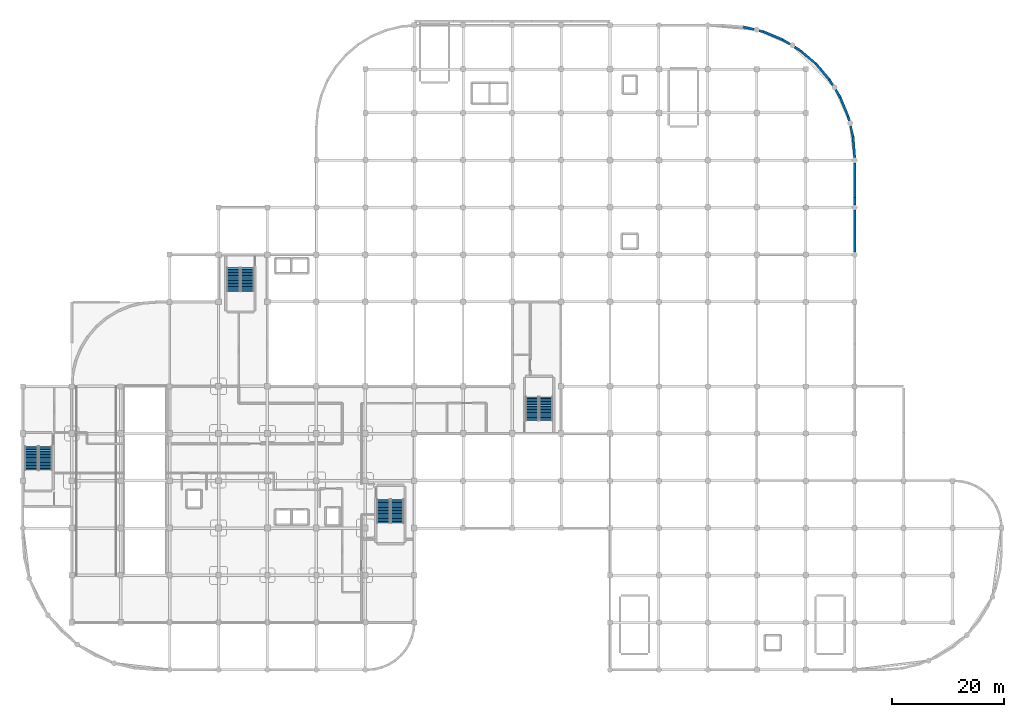
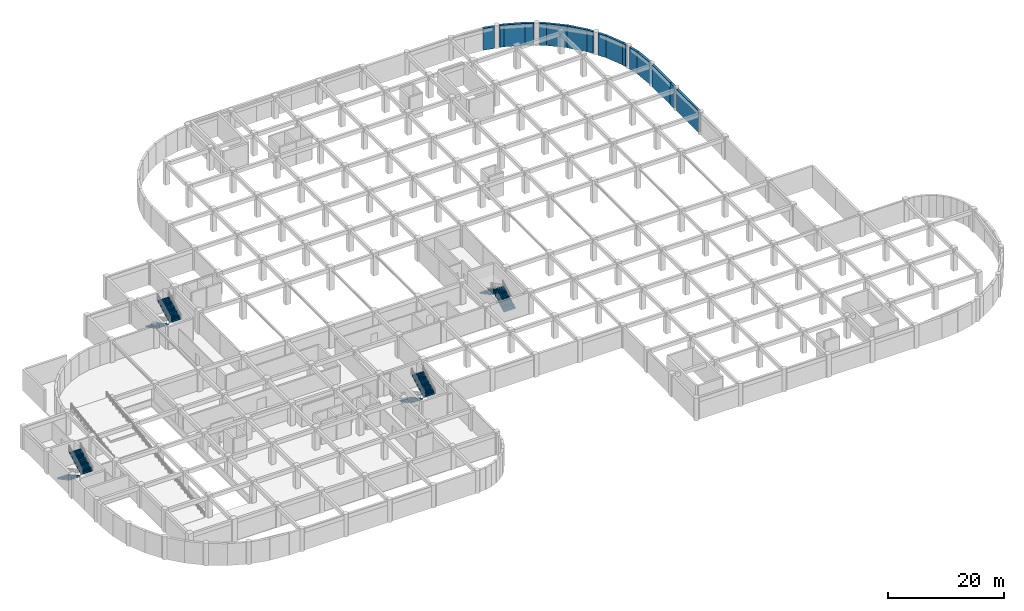
# One storey, part 15 of 19: 16 walls, 8 stair flights, 4 elements without a shape of their own.
"""IFC4 building model written with IfcOpenShell, lengths in metres."""

from ifc_helpers import new_model, si_unit, derived_unit, direction, frame, frame_2d, origin, place, context, subcontext, project, spatial, polyline, rectangle, outline, extrude, material, layer, layer_set, type_object, element, aggregate, save


model = new_model("IFC4")

# Units and contexts
model_context = context("Model", 3, precision=1e-05, world=origin(), true_north=direction((0.0, 1.0)))
body_context = subcontext(model_context, "Body", "Model", "MODEL_VIEW")
ifc_project = project(units=[si_unit("LENGTHUNIT", "METRE"), si_unit("AREAUNIT", "SQUARE_METRE"), si_unit("VOLUMEUNIT", "CUBIC_METRE"), si_unit("PLANEANGLEUNIT", "RADIAN"), si_unit("MASSUNIT", "GRAM", prefix="KILO"), derived_unit("THERMALTRANSMITTANCEUNIT", [(si_unit("MASSUNIT", "GRAM", prefix="KILO"), 1), (si_unit("TIMEUNIT", "SECOND"), -3), (si_unit("THERMODYNAMICTEMPERATUREUNIT", "KELVIN"), -1)])], contexts=[model_context])

# Site, building, storey
site_placement = place(None, origin())
site = spatial("IfcSite", under=ifc_project, at=site_placement, CompositionType="ELEMENT")
building_placement = place(site_placement, origin())
building = spatial("IfcBuilding", under=site, at=building_placement, Name="Qinzheling Arcade Emporium", CompositionType="ELEMENT")
storey_placement = place(building_placement, frame((0.0, 0.0, -4.800048828125)))
storey = spatial("IfcBuildingStorey", under=building, at=storey_placement, Name="B1", CompositionType="ELEMENT", Elevation=-4.800048828125)

# Walls
ifc_material = material(Name="Concrete C40", Category="concrete")
ifc_layer_1 = layer(ifc_material, 0.419921875, Name="Concrete C40", Category="concrete")
ifc_layer_set_1 = layer_set([ifc_layer_1], Name="Concrete C40")
wall_type_1 = type_object("IfcWallType", Name="Basement Ramp Retaining Wall 420 C40", PredefinedType="USERDEFINED", material=ifc_layer_set_1)
wall_1_placement = place(storey_placement, frame((130.930908203125, 113.6259765625, 0.0), z_axis=(0.0, 0.0, 1.0), x_axis=(0.972225005053, -0.234048156475, 0.0)))
element("IfcWall", 1, at=wall_1_placement, inside=storey, type_object=wall_type_1, Name="Retaining Wall WL-B1-RW-240", ObjectType="RETAININGWALL", PredefinedType="USERDEFINED", context=body_context, shape_type="SweptSolid", body=[
    extrude(rectangle(XDim=0.752197265625, YDim=0.419921875, at=frame_2d((0.3759765625, 0.0))), origin(), (0.0, 0.0, 1.0), 4.580078125),
])
wall_2_placement = place(storey_placement, frame((135.069091796875, 112.0390625, 0.0), z_axis=(0.0, 0.0, 1.0), x_axis=(0.852643675321, -0.522492835296, 0.0)))
element("IfcWall", 2, at=wall_2_placement, inside=storey, type_object=wall_type_1, Name="Retaining Wall WL-B1-RW-242", ObjectType="RETAININGWALL", PredefinedType="USERDEFINED", context=body_context, shape_type="SweptSolid", body=[
    extrude(rectangle(XDim=1.5712890625, YDim=0.419921875, at=frame_2d((0.78564453125, 0.0))), origin(), (0.0, 0.0, 1.0), 4.580078125),
])
wall_3_placement = place(storey_placement, frame((138.212890625, 110.112060546875, 0.0), z_axis=(0.0, 0.0, 1.0), x_axis=(0.76040500941, -0.649449167883, 0.0)))
element("IfcWall", 3, at=wall_3_placement, inside=storey, type_object=wall_type_1, Name="Retaining Wall WL-B1-RW-244", ObjectType="RETAININGWALL", PredefinedType="USERDEFINED", context=body_context, shape_type="SweptSolid", body=[
    extrude(rectangle(XDim=3.687744140625, YDim=0.419921875, at=frame_2d((1.84375, 0.0))), origin(), (0.0, 0.0, 1.0), 4.580078125),
])
wall_4_placement = place(storey_placement, frame((143.412109375, 104.9130859375, 0.0), z_axis=(0.0, 0.0, 1.0), x_axis=(0.522665585531, -0.852537791363, 0.0)))
element("IfcWall", 4, at=wall_4_placement, inside=storey, type_object=wall_type_1, Name="Retaining Wall WL-B1-RW-246", ObjectType="RETAININGWALL", PredefinedType="USERDEFINED", context=body_context, shape_type="SweptSolid", body=[
    extrude(rectangle(XDim=1.1611328125, YDim=0.419921875, at=frame_2d((0.58056640625, 0.0))), origin(), (0.0, 0.0, 1.0), 4.580078125),
])
wall_5_placement = place(storey_placement, frame((145.339111328125, 101.76904296875, 0.0), z_axis=(0.0, 0.0, 1.0), x_axis=(0.382607126693, -0.923911135664, 0.0)))
element("IfcWall", 5, at=wall_5_placement, inside=storey, type_object=wall_type_1, Name="Retaining Wall WL-B1-RW-248", ObjectType="RETAININGWALL", PredefinedType="USERDEFINED", context=body_context, shape_type="SweptSolid", body=[
    extrude(rectangle(XDim=3.6875, YDim=0.419921875, at=frame_2d((1.84375, 0.0))), origin(), (0.0, 0.0, 1.0), 4.580078125),
])
wall_6_placement = place(storey_placement, frame((147.14794921875, 96.702880859375, 0.0), z_axis=(0.0, 0.0, 1.0), x_axis=(0.2336851003, -0.972312333511, 0.0)))
element("IfcWall", 6, at=wall_6_placement, inside=storey, type_object=wall_type_1, Name="Retaining Wall WL-B1-RW-250", ObjectType="RETAININGWALL", PredefinedType="USERDEFINED", context=body_context, shape_type="SweptSolid", body=[
    extrude(rectangle(XDim=1.98193359375, YDim=0.419921875, at=frame_2d((0.990966796875, 0.0))), origin(), (0.0, 0.0, 1.0), 4.580078125),
])
wall_7_placement = place(storey_placement, frame((147.89990234375, 90.123046875, 0.0), z_axis=(0.0, 0.0, 1.0), x_axis=(0.0, -1.0, 0.0)))
element("IfcWall", 7, at=wall_7_placement, inside=storey, type_object=wall_type_1, Name="Retaining Wall WL-B1-RW-252", ObjectType="RETAININGWALL", PredefinedType="USERDEFINED", context=body_context, shape_type="SweptSolid", body=[
    extrude(rectangle(XDim=6.123046875, YDim=0.419921875, at=frame_2d((3.0615234375, 0.0))), origin(), (0.0, 0.0, 1.0), 4.580078125),
])
wall_8_placement = place(storey_placement, frame((147.89990234375, 81.722900390625, 0.0), z_axis=(0.0, 0.0, 1.0), x_axis=(0.0, -1.0, 0.0)))
element("IfcWall", 8, at=wall_8_placement, inside=storey, type_object=wall_type_1, Name="Retaining Wall WL-B1-RW-254", ObjectType="RETAININGWALL", PredefinedType="USERDEFINED", context=body_context, shape_type="SweptSolid", body=[
    extrude(rectangle(XDim=7.44580078125, YDim=0.419921875, at=frame_2d((3.722900390625, 0.0))), origin(), (0.0, 0.0, 1.0), 4.580078125),
])
ifc_layer_2 = layer(ifc_material, 0.449951171875, Name="Concrete C40", Category="concrete")
ifc_layer_set_2 = layer_set([ifc_layer_2], Name="Concrete C40")
wall_type_2 = type_object("IfcWallType", Name="Waterproof Basement Retaining Wall 450 C40", PredefinedType="USERDEFINED", material=ifc_layer_set_2)
wall_9_placement = place(storey_placement, frame((128.075927734375, 114.31103515625, 0.0), z_axis=(0.0, 0.0, 1.0), x_axis=(0.972312333511, -0.2336851003, 0.0)))
element("IfcWall", 9, at=wall_9_placement, inside=storey, type_object=wall_type_2, Name="Retaining Wall WL-B1-RW-239", ObjectType="RETAININGWALL", PredefinedType="USERDEFINED", context=body_context, shape_type="SweptSolid", body=[
    extrude(rectangle(XDim=1.98193359375, YDim=0.449951171875, at=frame_2d((0.990966796875, 0.0))), origin(), (0.0, 0.0, 1.0), 4.580078125),
])
wall_10_placement = place(storey_placement, frame((131.662109375, 113.449951171875, 0.0), z_axis=(0.0, 0.0, 1.0), x_axis=(0.923911135664, -0.382607126693, 0.0)))
element("IfcWall", 10, at=wall_10_placement, inside=storey, type_object=wall_type_2, Name="Retaining Wall WL-B1-RW-241", ObjectType="RETAININGWALL", PredefinedType="USERDEFINED", context=body_context, shape_type="SweptSolid", body=[
    extrude(rectangle(XDim=3.6875, YDim=0.449951171875, at=frame_2d((1.84375, 0.0))), origin(), (0.0, 0.0, 1.0), 4.580078125),
])
wall_11_placement = place(storey_placement, frame((137.222900390625, 110.718994140625, 0.0), z_axis=(0.0, 0.0, 1.0), x_axis=(0.852537791363, -0.522665585531, 0.0)))
element("IfcWall", 11, at=wall_11_placement, inside=storey, type_object=wall_type_2, Name="Retaining Wall WL-B1-RW-243", ObjectType="RETAININGWALL", PredefinedType="USERDEFINED", context=body_context, shape_type="SweptSolid", body=[
    extrude(rectangle(XDim=1.1611328125, YDim=0.449951171875, at=frame_2d((0.58056640625, 0.0))), origin(), (0.0, 0.0, 1.0), 4.580078125),
])
wall_12_placement = place(storey_placement, frame((141.01708984375, 107.717041015625, 0.0), z_axis=(0.0, 0.0, 1.0), x_axis=(0.649481862796, -0.760377084018, 0.0)))
element("IfcWall", 12, at=wall_12_placement, inside=storey, type_object=wall_type_2, Name="Retaining Wall WL-B1-RW-245", ObjectType="RETAININGWALL", PredefinedType="USERDEFINED", context=body_context, shape_type="SweptSolid", body=[
    extrude(rectangle(XDim=3.6875, YDim=0.449951171875, at=frame_2d((1.84375, 0.0))), origin(), (0.0, 0.0, 1.0), 4.580078125),
])
wall_13_placement = place(storey_placement, frame((144.51806640625, 103.10888671875, 0.0), z_axis=(0.0, 0.0, 1.0), x_axis=(0.522492835296, -0.852643675321, 0.0)))
element("IfcWall", 13, at=wall_13_placement, inside=storey, type_object=wall_type_2, Name="Retaining Wall WL-B1-RW-247", ObjectType="RETAININGWALL", PredefinedType="USERDEFINED", context=body_context, shape_type="SweptSolid", body=[
    extrude(rectangle(XDim=1.5712890625, YDim=0.449951171875, at=frame_2d((0.78564453125, 0.0))), origin(), (0.0, 0.0, 1.0), 4.580078125),
])
wall_14_placement = place(storey_placement, frame((146.75, 98.362060546875, 0.0), z_axis=(0.0, 0.0, 1.0), x_axis=(0.234122044674, -0.97220721464, 0.0)))
element("IfcWall", 14, at=wall_14_placement, inside=storey, type_object=wall_type_2, Name="Retaining Wall WL-B1-RW-249", ObjectType="RETAININGWALL", PredefinedType="USERDEFINED", context=body_context, shape_type="SweptSolid", body=[
    extrude(rectangle(XDim=0.751953125, YDim=0.449951171875, at=frame_2d((0.3759765625, 0.0))), origin(), (0.0, 0.0, 1.0), 4.580078125),
])
wall_15_placement = place(storey_placement, frame((147.611083984375, 94.77587890625, 0.0), z_axis=(0.0, 0.0, 1.0), x_axis=(0.078478644017, -0.996915795057, 0.0)))
element("IfcWall", 15, at=wall_15_placement, inside=storey, type_object=wall_type_2, Name="Retaining Wall WL-B1-RW-251", ObjectType="RETAININGWALL", PredefinedType="USERDEFINED", context=body_context, shape_type="SweptSolid", body=[
    extrude(rectangle(XDim=3.708251953125, YDim=0.449951171875, at=frame_2d((1.85400390625, 0.0))), origin(), (0.0, 0.0, 1.0), 4.580078125),
])
wall_16_placement = place(storey_placement, frame((147.89990234375, 84.0, 0.0), z_axis=(0.0, 0.0, 1.0), x_axis=(0.0, -1.0, 0.0)))
element("IfcWall", 16, at=wall_16_placement, inside=storey, type_object=wall_type_2, Name="Retaining Wall WL-B1-RW-253", ObjectType="RETAININGWALL", PredefinedType="USERDEFINED", context=body_context, shape_type="SweptSolid", body=[
    extrude(rectangle(XDim=1.322998046875, YDim=0.449951171875, at=frame_2d((0.66162109375, 0.0))), origin(), (0.0, 0.0, 1.0), 4.580078125),
])

# Stair, stair flights
stair_type = type_object("IfcStairType", Name="Cast-in-Situ Dog-Leg Escape Stair H4800", PredefinedType="HALF_TURN_STAIR", material=ifc_material)
stair_1_placement = place(storey_placement, origin())
stair_1 = element("IfcStair", 17, at=stair_1_placement, inside=storey, type_object=stair_type, Name="B1 ST01", PredefinedType="HALF_TURN_STAIR")
stair_flight_type = type_object("IfcStairFlightType", Name="Cast-in-Situ Straight Stair Flight 150x280 H4800", PredefinedType="STRAIGHT", material=ifc_material)
stair_flight_1_placement = place(storey_placement, frame((64.110107421875, 30.280029296875, 0.0), z_axis=(0.0, 0.0, 1.0), x_axis=(0.0, -1.0, 0.0)))
stair_flight_1 = element("IfcStairFlight", 18, at=stair_flight_1_placement, type_object=stair_flight_type, Name="ST01 flight 1", NumberOfRisers=16, NumberOfTreads=15, PredefinedType="STRAIGHT", RiserHeight=0.15, TreadLength=0.28, context=body_context, shape_type="SweptSolid", body=[
    extrude(outline(polyline([(0.0, 0.0), (0.0, 0.14990234375), (0.280029296875, 0.14990234375), (0.280029296875, 0.300048828125), (0.56005859375, 0.300048828125), (0.56005859375, 0.449951171875), (0.840087890625, 0.449951171875), (0.840087890625, 0.60009765625), (1.1201171875, 0.60009765625), (1.1201171875, 0.75), (1.39990234375, 0.75), (1.39990234375, 0.89990234375), (1.679931640625, 0.89990234375), (1.679931640625, 1.050048828125), (1.9599609375, 1.050048828125), (1.9599609375, 1.199951171875), (2.239990234375, 1.199951171875), (2.239990234375, 1.35009765625), (2.52001953125, 1.35009765625), (2.52001953125, 1.5), (2.800048828125, 1.5), (2.800048828125, 1.64990234375), (3.080078125, 1.64990234375), (3.080078125, 1.800048828125), (3.360107421875, 1.800048828125), (3.360107421875, 1.949951171875), (3.639892578125, 1.949951171875), (3.639892578125, 2.10009765625), (3.919921875, 2.10009765625), (3.919921875, 2.25), (4.199951171875, 2.25), (4.199951171875, 2.39990234375), (4.199951171875, 2.068603515625), (0.338623046875, 0.0), (0.0, 0.0)])), frame((0.0, 1.16015625, 0.0), z_axis=(0.0, -1.0, 0.0), x_axis=(1.0, 0.0, 0.0)), (0.0, 0.0, 1.0), 2.320068359375),
])
stair_flight_2_placement = place(storey_placement, frame((66.580078125, 26.080078125, 2.400146484375), z_axis=(0.0, 0.0, 1.0), x_axis=(0.0, 1.0, 0.0)))
stair_flight_2 = element("IfcStairFlight", 19, at=stair_flight_2_placement, type_object=stair_flight_type, Name="ST01 flight 2", NumberOfRisers=16, NumberOfTreads=15, PredefinedType="STRAIGHT", RiserHeight=0.15, TreadLength=0.28, context=body_context, shape_type="SweptSolid", body=[
    extrude(outline(polyline([(0.0, 0.0), (0.0, 0.14990234375), (0.280029296875, 0.14990234375), (0.280029296875, 0.300048828125), (0.56005859375, 0.300048828125), (0.56005859375, 0.449951171875), (0.840087890625, 0.449951171875), (0.840087890625, 0.60009765625), (1.1201171875, 0.60009765625), (1.1201171875, 0.75), (1.39990234375, 0.75), (1.39990234375, 0.89990234375), (1.679931640625, 0.89990234375), (1.679931640625, 1.050048828125), (1.9599609375, 1.050048828125), (1.9599609375, 1.199951171875), (2.239990234375, 1.199951171875), (2.239990234375, 1.35009765625), (2.52001953125, 1.35009765625), (2.52001953125, 1.5), (2.800048828125, 1.5), (2.800048828125, 1.64990234375), (3.080078125, 1.64990234375), (3.080078125, 1.800048828125), (3.360107421875, 1.800048828125), (3.360107421875, 1.949951171875), (3.639892578125, 1.949951171875), (3.639892578125, 2.10009765625), (3.919921875, 2.10009765625), (3.919921875, 2.25), (4.199951171875, 2.25), (4.199951171875, 2.39990234375), (4.199951171875, 2.068603515625), (0.338623046875, 0.0), (0.0, 0.0)])), frame((0.0, 1.16015625, 0.0), z_axis=(0.0, -1.0, 0.0), x_axis=(1.0, 0.0, 0.0)), (0.0, 0.0, 1.0), 2.320068359375),
])
aggregate(stair_1, [stair_flight_1, stair_flight_2])

stair_2_placement = place(storey_placement, origin())
stair_2 = element("IfcStair", 20, at=stair_2_placement, inside=storey, type_object=stair_type, Name="B1 ST02", PredefinedType="HALF_TURN_STAIR")
stair_flight_3_placement = place(storey_placement, frame((1.56005859375, 39.679931640625, 0.0), z_axis=(0.0, 0.0, 1.0), x_axis=(0.0, -1.0, 0.0)))
stair_flight_3 = element("IfcStairFlight", 21, at=stair_flight_3_placement, type_object=stair_flight_type, Name="ST02 flight 1", NumberOfRisers=16, NumberOfTreads=15, PredefinedType="STRAIGHT", RiserHeight=0.15, TreadLength=0.28, context=body_context, shape_type="SweptSolid", body=[
    extrude(outline(polyline([(0.0, 0.0), (0.0, 0.14990234375), (0.280029296875, 0.14990234375), (0.280029296875, 0.300048828125), (0.56005859375, 0.300048828125), (0.56005859375, 0.449951171875), (0.840087890625, 0.449951171875), (0.840087890625, 0.60009765625), (1.1201171875, 0.60009765625), (1.1201171875, 0.75), (1.39990234375, 0.75), (1.39990234375, 0.89990234375), (1.679931640625, 0.89990234375), (1.679931640625, 1.050048828125), (1.9599609375, 1.050048828125), (1.9599609375, 1.199951171875), (2.239990234375, 1.199951171875), (2.239990234375, 1.35009765625), (2.52001953125, 1.35009765625), (2.52001953125, 1.5), (2.800048828125, 1.5), (2.800048828125, 1.64990234375), (3.080078125, 1.64990234375), (3.080078125, 1.800048828125), (3.360107421875, 1.800048828125), (3.360107421875, 1.949951171875), (3.639892578125, 1.949951171875), (3.639892578125, 2.10009765625), (3.919921875, 2.10009765625), (3.919921875, 2.25), (4.199951171875, 2.25), (4.199951171875, 2.39990234375), (4.199951171875, 2.068603515625), (0.338623046875, 0.0), (0.0, 0.0)])), frame((0.0, 1.16015625, 0.0), z_axis=(0.0, -1.0, 0.0), x_axis=(1.0, 0.0, 0.0)), (0.0, 0.0, 1.0), 2.320068359375),
])
stair_flight_4_placement = place(storey_placement, frame((4.030029296875, 35.47998046875, 2.400146484375), z_axis=(0.0, 0.0, 1.0), x_axis=(0.0, 1.0, 0.0)))
stair_flight_4 = element("IfcStairFlight", 22, at=stair_flight_4_placement, type_object=stair_flight_type, Name="ST02 flight 2", NumberOfRisers=16, NumberOfTreads=15, PredefinedType="STRAIGHT", RiserHeight=0.15, TreadLength=0.28, context=body_context, shape_type="SweptSolid", body=[
    extrude(outline(polyline([(0.0, 0.0), (0.0, 0.14990234375), (0.280029296875, 0.14990234375), (0.280029296875, 0.300048828125), (0.56005859375, 0.300048828125), (0.56005859375, 0.449951171875), (0.840087890625, 0.449951171875), (0.840087890625, 0.60009765625), (1.1201171875, 0.60009765625), (1.1201171875, 0.75), (1.39990234375, 0.75), (1.39990234375, 0.89990234375), (1.679931640625, 0.89990234375), (1.679931640625, 1.050048828125), (1.9599609375, 1.050048828125), (1.9599609375, 1.199951171875), (2.239990234375, 1.199951171875), (2.239990234375, 1.35009765625), (2.52001953125, 1.35009765625), (2.52001953125, 1.5), (2.800048828125, 1.5), (2.800048828125, 1.64990234375), (3.080078125, 1.64990234375), (3.080078125, 1.800048828125), (3.360107421875, 1.800048828125), (3.360107421875, 1.949951171875), (3.639892578125, 1.949951171875), (3.639892578125, 2.10009765625), (3.919921875, 2.10009765625), (3.919921875, 2.25), (4.199951171875, 2.25), (4.199951171875, 2.39990234375), (4.199951171875, 2.068603515625), (0.338623046875, 0.0), (0.0, 0.0)])), frame((0.0, 1.16015625, 0.0), z_axis=(0.0, -1.0, 0.0), x_axis=(1.0, 0.0, 0.0)), (0.0, 0.0, 1.0), 2.320068359375),
])
aggregate(stair_2, [stair_flight_3, stair_flight_4])

stair_3_placement = place(storey_placement, origin())
stair_3 = element("IfcStair", 23, at=stair_3_placement, inside=storey, type_object=stair_type, Name="B1 ST03", PredefinedType="HALF_TURN_STAIR")
stair_flight_5_placement = place(storey_placement, frame((37.4599609375, 71.47998046875, 0.0), z_axis=(0.0, 0.0, 1.0), x_axis=(0.0, -1.0, 0.0)))
stair_flight_5 = element("IfcStairFlight", 24, at=stair_flight_5_placement, type_object=stair_flight_type, Name="ST03 flight 1", NumberOfRisers=16, NumberOfTreads=15, PredefinedType="STRAIGHT", RiserHeight=0.15, TreadLength=0.28, context=body_context, shape_type="SweptSolid", body=[
    extrude(outline(polyline([(0.0, 0.0), (0.0, 0.14990234375), (0.280029296875, 0.14990234375), (0.280029296875, 0.300048828125), (0.56005859375, 0.300048828125), (0.56005859375, 0.449951171875), (0.840087890625, 0.449951171875), (0.840087890625, 0.60009765625), (1.1201171875, 0.60009765625), (1.1201171875, 0.75), (1.39990234375, 0.75), (1.39990234375, 0.89990234375), (1.679931640625, 0.89990234375), (1.679931640625, 1.050048828125), (1.9599609375, 1.050048828125), (1.9599609375, 1.199951171875), (2.239990234375, 1.199951171875), (2.239990234375, 1.35009765625), (2.52001953125, 1.35009765625), (2.52001953125, 1.5), (2.800048828125, 1.5), (2.800048828125, 1.64990234375), (3.080078125, 1.64990234375), (3.080078125, 1.800048828125), (3.360107421875, 1.800048828125), (3.360107421875, 1.949951171875), (3.639892578125, 1.949951171875), (3.639892578125, 2.10009765625), (3.919921875, 2.10009765625), (3.919921875, 2.25), (4.199951171875, 2.25), (4.199951171875, 2.39990234375), (4.199951171875, 2.068603515625), (0.338623046875, 0.0), (0.0, 0.0)])), frame((0.0, 1.16015625, 0.0), z_axis=(0.0, -1.0, 0.0), x_axis=(1.0, 0.0, 0.0)), (0.0, 0.0, 1.0), 2.320068359375),
])
stair_flight_6_placement = place(storey_placement, frame((39.929931640625, 67.280029296875, 2.400146484375), z_axis=(0.0, 0.0, 1.0), x_axis=(0.0, 1.0, 0.0)))
stair_flight_6 = element("IfcStairFlight", 25, at=stair_flight_6_placement, type_object=stair_flight_type, Name="ST03 flight 2", NumberOfRisers=16, NumberOfTreads=15, PredefinedType="STRAIGHT", RiserHeight=0.15, TreadLength=0.28, context=body_context, shape_type="SweptSolid", body=[
    extrude(outline(polyline([(0.0, 0.0), (0.0, 0.14990234375), (0.280029296875, 0.14990234375), (0.280029296875, 0.300048828125), (0.56005859375, 0.300048828125), (0.56005859375, 0.449951171875), (0.840087890625, 0.449951171875), (0.840087890625, 0.60009765625), (1.1201171875, 0.60009765625), (1.1201171875, 0.75), (1.39990234375, 0.75), (1.39990234375, 0.89990234375), (1.679931640625, 0.89990234375), (1.679931640625, 1.050048828125), (1.9599609375, 1.050048828125), (1.9599609375, 1.199951171875), (2.239990234375, 1.199951171875), (2.239990234375, 1.35009765625), (2.52001953125, 1.35009765625), (2.52001953125, 1.5), (2.800048828125, 1.5), (2.800048828125, 1.64990234375), (3.080078125, 1.64990234375), (3.080078125, 1.800048828125), (3.360107421875, 1.800048828125), (3.360107421875, 1.949951171875), (3.639892578125, 1.949951171875), (3.639892578125, 2.10009765625), (3.919921875, 2.10009765625), (3.919921875, 2.25), (4.199951171875, 2.25), (4.199951171875, 2.39990234375), (4.199951171875, 2.068603515625), (0.338623046875, 0.0), (0.0, 0.0)])), frame((0.0, 1.16015625, 0.0), z_axis=(0.0, -1.0, 0.0), x_axis=(1.0, 0.0, 0.0)), (0.0, 0.0, 1.0), 2.320068359375),
])
aggregate(stair_3, [stair_flight_5, stair_flight_6])

stair_4_placement = place(storey_placement, origin())
stair_4 = element("IfcStair", 26, at=stair_4_placement, inside=storey, type_object=stair_type, Name="B1 ST04", PredefinedType="HALF_TURN_STAIR")
stair_flight_7_placement = place(storey_placement, frame((93.030029296875, 44.320068359375, 0.0), z_axis=(0.0, 0.0, 1.0), x_axis=(0.0, 1.0, 0.0)))
stair_flight_7 = element("IfcStairFlight", 27, at=stair_flight_7_placement, type_object=stair_flight_type, Name="ST04 flight 1", NumberOfRisers=16, NumberOfTreads=15, PredefinedType="STRAIGHT", RiserHeight=0.15, TreadLength=0.28, context=body_context, shape_type="SweptSolid", body=[
    extrude(outline(polyline([(0.0, 0.0), (0.0, 0.14990234375), (0.280029296875, 0.14990234375), (0.280029296875, 0.300048828125), (0.56005859375, 0.300048828125), (0.56005859375, 0.449951171875), (0.840087890625, 0.449951171875), (0.840087890625, 0.60009765625), (1.1201171875, 0.60009765625), (1.1201171875, 0.75), (1.39990234375, 0.75), (1.39990234375, 0.89990234375), (1.679931640625, 0.89990234375), (1.679931640625, 1.050048828125), (1.9599609375, 1.050048828125), (1.9599609375, 1.199951171875), (2.239990234375, 1.199951171875), (2.239990234375, 1.35009765625), (2.52001953125, 1.35009765625), (2.52001953125, 1.5), (2.800048828125, 1.5), (2.800048828125, 1.64990234375), (3.080078125, 1.64990234375), (3.080078125, 1.800048828125), (3.360107421875, 1.800048828125), (3.360107421875, 1.949951171875), (3.639892578125, 1.949951171875), (3.639892578125, 2.10009765625), (3.919921875, 2.10009765625), (3.919921875, 2.25), (4.199951171875, 2.25), (4.199951171875, 2.39990234375), (4.199951171875, 2.068603515625), (0.338623046875, 0.0), (0.0, 0.0)])), frame((0.0, 1.16015625, 0.0), z_axis=(0.0, -1.0, 0.0), x_axis=(1.0, 0.0, 0.0)), (0.0, 0.0, 1.0), 2.320068359375),
])
stair_flight_8_placement = place(storey_placement, frame((90.56005859375, 48.52001953125, 2.400146484375), z_axis=(0.0, 0.0, 1.0), x_axis=(0.0, -1.0, 0.0)))
stair_flight_8 = element("IfcStairFlight", 28, at=stair_flight_8_placement, type_object=stair_flight_type, Name="ST04 flight 2", NumberOfRisers=16, NumberOfTreads=15, PredefinedType="STRAIGHT", RiserHeight=0.15, TreadLength=0.28, context=body_context, shape_type="SweptSolid", body=[
    extrude(outline(polyline([(0.0, 0.0), (0.0, 0.14990234375), (0.280029296875, 0.14990234375), (0.280029296875, 0.300048828125), (0.56005859375, 0.300048828125), (0.56005859375, 0.449951171875), (0.840087890625, 0.449951171875), (0.840087890625, 0.60009765625), (1.1201171875, 0.60009765625), (1.1201171875, 0.75), (1.39990234375, 0.75), (1.39990234375, 0.89990234375), (1.679931640625, 0.89990234375), (1.679931640625, 1.050048828125), (1.9599609375, 1.050048828125), (1.9599609375, 1.199951171875), (2.239990234375, 1.199951171875), (2.239990234375, 1.35009765625), (2.52001953125, 1.35009765625), (2.52001953125, 1.5), (2.800048828125, 1.5), (2.800048828125, 1.64990234375), (3.080078125, 1.64990234375), (3.080078125, 1.800048828125), (3.360107421875, 1.800048828125), (3.360107421875, 1.949951171875), (3.639892578125, 1.949951171875), (3.639892578125, 2.10009765625), (3.919921875, 2.10009765625), (3.919921875, 2.25), (4.199951171875, 2.25), (4.199951171875, 2.39990234375), (4.199951171875, 2.068603515625), (0.338623046875, 0.0), (0.0, 0.0)])), frame((0.0, 1.16015625, 0.0), z_axis=(0.0, -1.0, 0.0), x_axis=(1.0, 0.0, 0.0)), (0.0, 0.0, 1.0), 2.320068359375),
])
aggregate(stair_4, [stair_flight_7, stair_flight_8])

save(model, "model.ifc")
